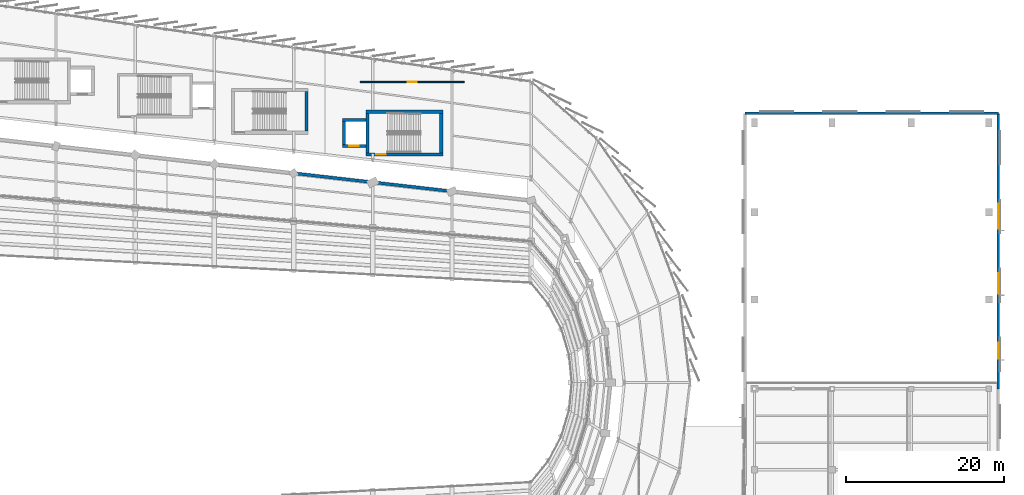
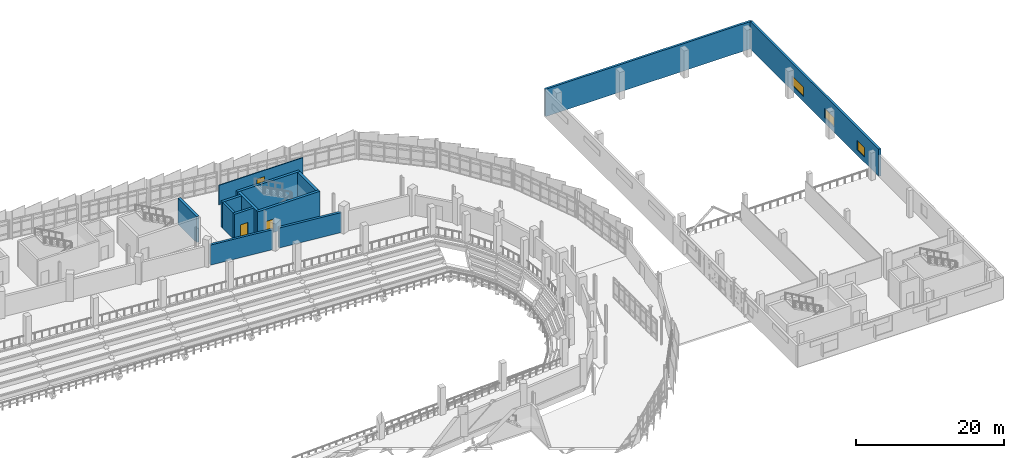
# One storey, part 116 of 134: 13 walls, 3 doors, 3 windows, 6 openings.
"""IFC4 building model written with IfcOpenShell, lengths in metres."""

from ifc_helpers import new_model, si_unit, direction, frame, frame_2d, origin, place, context, subcontext, project, spatial, rectangle, extrude, material, layer, layer_set, type_object, element, fill, save


model = new_model("IFC4")

# Units and contexts
model_context = context("Model", 3, precision=1e-05, world=origin(), true_north=direction((0.0, 1.0)))
body_context = subcontext(model_context, "Body", "Model", "MODEL_VIEW")
ifc_project = project(units=[si_unit("LENGTHUNIT", "METRE"), si_unit("AREAUNIT", "SQUARE_METRE"), si_unit("VOLUMEUNIT", "CUBIC_METRE"), si_unit("PLANEANGLEUNIT", "RADIAN"), si_unit("MASSUNIT", "GRAM", prefix="KILO")], contexts=[model_context])

# Site, building, storey
site_placement = place(None, origin())
site = spatial("IfcSite", under=ifc_project, at=site_placement, CompositionType="ELEMENT")
building_placement = place(site_placement, origin())
building = spatial("IfcBuilding", under=site, at=building_placement, Name="Sohan Crest Arena", CompositionType="ELEMENT")
storey_placement = place(building_placement, frame((0.0, 0.0, 4.5)))
storey = spatial("IfcBuildingStorey", under=building, at=storey_placement, Name="L01", CompositionType="ELEMENT", Elevation=4.5)

# Wall, openings, windows
ifc_material_1 = material(Name="Honed dark basalt stone cladding wall", Category="masonry")
ifc_layer_1 = layer(ifc_material_1, 0.340087890625, Name="Honed dark basalt stone cladding wall")
ifc_layer_set_1 = layer_set([ifc_layer_1], Name="Honed dark basalt stone cladding wall")
wall_type_1 = type_object("IfcWallType", Name="WAL-EW04", PredefinedType="SOLIDWALL", material=ifc_layer_set_1)
wall_1_placement = place(storey_placement, frame((227.0, 77.199951171875, 0.0), z_axis=(0.0, 0.0, 1.0), x_axis=(0.0, 1.0, 0.0)))
wall_1 = element("IfcWall", 1, at=wall_1_placement, inside=storey, type_object=wall_type_1, Name="External wall EW-110", PredefinedType="SOLIDWALL", context=body_context, shape_type="SweptSolid", body=[
    extrude(rectangle(XDim=34.800048828125, YDim=0.340087890625, at=frame_2d((17.39990234375, 0.0))), origin(), (0.0, 0.0, 1.0), 4.5),
])
opening_1_placement = place(wall_1_placement, frame((3.800048828125, 0.0, 0.85009765625)))
opening_1 = element("IfcOpeningElement", 2, at=opening_1_placement, cuts=wall_1, Name="Opening W-009", PredefinedType="OPENING", context=body_context, shape_type="SweptSolid", body=[
    extrude(rectangle(XDim=2.0, YDim=1.60009765625, at=frame_2d((1.0, 0.800048828125))), frame((0.0, 0.179931640625, 0.0), z_axis=(0.0, -1.0, 0.0), x_axis=(1.0, 0.0, 0.0)), (0.0, 0.0, 1.0), 0.360107421875),
])
opening_2_placement = place(wall_1_placement, frame((12.0, 0.0, 0.85009765625)))
opening_2 = element("IfcOpeningElement", 3, at=opening_2_placement, cuts=wall_1, Name="Opening W-010", PredefinedType="OPENING", context=body_context, shape_type="SweptSolid", body=[
    extrude(rectangle(XDim=2.60009765625, YDim=1.5, at=frame_2d((1.300048828125, 0.75))), frame((0.0, 0.179931640625, 0.0), z_axis=(0.0, -1.0, 0.0), x_axis=(1.0, 0.0, 0.0)), (0.0, 0.0, 1.0), 0.360107421875),
])
opening_3_placement = place(wall_1_placement, frame((20.199951171875, 0.0, 0.85009765625)))
opening_3 = element("IfcOpeningElement", 4, at=opening_3_placement, cuts=wall_1, Name="Opening W-011", PredefinedType="OPENING", context=body_context, shape_type="SweptSolid", body=[
    extrude(rectangle(XDim=3.199951171875, YDim=1.60009765625, at=frame_2d((1.60009765625, 0.800048828125))), frame((0.0, 0.179931640625, 0.0), z_axis=(0.0, -1.0, 0.0), x_axis=(1.0, 0.0, 0.0)), (0.0, 0.0, 1.0), 0.360107421875),
])
ifc_material_2 = material(Name="Low-E double-glazed insulated glass", Category="glass")
window_type_1 = type_object("IfcWindowType", Name="WIN-W09", PartitioningType="SINGLE_PANEL", PredefinedType="WINDOW", material=ifc_material_2)
window_1_placement = place(opening_1_placement, origin())
window_1 = element("IfcWindow", 5, at=window_1_placement, inside=storey, type_object=window_type_1, Name="Community wing window W-009", OverallHeight=1.60009765625, OverallWidth=2.0, PartitioningType="SINGLE_PANEL", PredefinedType="WINDOW", context=body_context, shape_type="SweptSolid", body=[
    extrude(rectangle(XDim=2.0, YDim=1.60009765625, at=frame_2d((1.0, 0.800048828125))), frame((0.0, 0.030029296875, 0.0), z_axis=(0.0, -1.0, 0.0), x_axis=(1.0, 0.0, 0.0)), (0.0, 0.0, 1.0), 0.06005859375),
])
fill(opening_1, window_1)
window_type_2 = type_object("IfcWindowType", Name="WIN-W10", PartitioningType="SINGLE_PANEL", PredefinedType="WINDOW", material=ifc_material_2)
window_2_placement = place(opening_2_placement, origin())
window_2 = element("IfcWindow", 6, at=window_2_placement, inside=storey, type_object=window_type_2, Name="Community wing window W-010", OverallHeight=1.5, OverallWidth=2.60009765625, PartitioningType="SINGLE_PANEL", PredefinedType="WINDOW", context=body_context, shape_type="SweptSolid", body=[
    extrude(rectangle(XDim=2.60009765625, YDim=1.5, at=frame_2d((1.300048828125, 0.75))), frame((0.0, 0.030029296875, 0.0), z_axis=(0.0, -1.0, 0.0), x_axis=(1.0, 0.0, 0.0)), (0.0, 0.0, 1.0), 0.06005859375),
])
fill(opening_2, window_2)
window_type_3 = type_object("IfcWindowType", Name="WIN-W11", PartitioningType="SINGLE_PANEL", PredefinedType="WINDOW", material=ifc_material_2)
window_3_placement = place(opening_3_placement, origin())
window_3 = element("IfcWindow", 7, at=window_3_placement, inside=storey, type_object=window_type_3, Name="Community wing window W-011", OverallHeight=1.60009765625, OverallWidth=3.199951171875, PartitioningType="SINGLE_PANEL", PredefinedType="WINDOW", context=body_context, shape_type="SweptSolid", body=[
    extrude(rectangle(XDim=3.199951171875, YDim=1.60009765625, at=frame_2d((1.60009765625, 0.800048828125))), frame((0.0, 0.030029296875, 0.0), z_axis=(0.0, -1.0, 0.0), x_axis=(1.0, 0.0, 0.0)), (0.0, 0.0, 1.0), 0.06005859375),
])
fill(opening_3, window_3)

# Walls
wall_2_placement = place(storey_placement, frame((227.0, 112.0, 0.0), z_axis=(0.0, 0.0, 1.0), x_axis=(-1.0, 0.0, 0.0)))
element("IfcWall", 8, at=wall_2_placement, inside=storey, type_object=wall_type_1, Name="External wall EW-111", PredefinedType="SOLIDWALL", context=body_context, shape_type="SweptSolid", body=[
    extrude(rectangle(XDim=32.0, YDim=0.340087890625, at=frame_2d((16.0, 0.0))), origin(), (0.0, 0.0, 1.0), 4.5),
])
ifc_material_3 = material(Name="Acoustic insulated bowl drum enclosure wall", Category="masonry")
ifc_layer_2 = layer(ifc_material_3, 0.3701171875, Name="Acoustic insulated bowl drum enclosure wall")
ifc_layer_set_2 = layer_set([ifc_layer_2], Name="Acoustic insulated bowl drum enclosure wall")
wall_type_2 = type_object("IfcWallType", Name="WAL-EW05", PredefinedType="SOLIDWALL", material=ifc_layer_set_2)
for number, where, z_axis, x_axis, name in (
    (9, (157.56298828125, 102.193115234375, 0.0), (0.0, 0.0, 1.0), (-0.993532672656, 0.113546591161, 0.0), "Acoustic bowl drum wall BW-L01-29"),
    (10, (147.56298828125, 103.3359375, 0.0), (0.0, 0.0, 1.0), (-0.993532672656, 0.113546591161, 0.0), "Acoustic bowl drum wall BW-L01-30"),
):
    element("IfcWall", number, at=place(storey_placement, frame(where, z_axis=z_axis, x_axis=x_axis)), inside=storey, type_object=wall_type_2, Name=name, PredefinedType="SOLIDWALL", context=body_context, shape_type="SweptSolid", body=[
        extrude(rectangle(XDim=9.185302734375, YDim=0.3701171875, at=frame_2d((4.5927734375, 0.0))), origin(), (0.0, 0.0, 1.0), 3.300048828125),
    ])

# Wall, opening, door
ifc_material_4 = material(Name="Suite acoustic stud partition", Category="masonry")
ifc_layer_3 = layer(ifc_material_4, 0.135009765625, Name="Suite acoustic stud partition")
ifc_layer_set_3 = layer_set([ifc_layer_3], Name="Suite acoustic stud partition")
wall_type_3 = type_object("IfcWallType", Name="WAL-PW02", PredefinedType="PARTITIONING", material=ifc_layer_set_3)
wall_3_placement = place(storey_placement, frame((146.449951171875, 115.949951171875, 0.0), z_axis=(0.0, 0.0, 1.0), x_axis=(1.0, 0.0, 0.0)))
wall_3 = element("IfcWall", 11, at=wall_3_placement, inside=storey, type_object=wall_type_3, Name="Interior partition wall PW-0879", PredefinedType="PARTITIONING", context=body_context, shape_type="SweptSolid", body=[
    extrude(rectangle(XDim=13.10009765625, YDim=0.135009765625, at=frame_2d((6.550048828125, 0.0))), origin(), (0.0, 0.0, 1.0), 3.219970703125),
])
opening_4_placement = place(wall_3_placement, frame((5.97998046875, 0.0, 0.0)))
opening_4 = element("IfcOpeningElement", 12, at=opening_4_placement, cuts=wall_3, Name="Opening RM-0253", PredefinedType="OPENING", context=body_context, shape_type="SweptSolid", body=[
    extrude(rectangle(XDim=1.139892578125, YDim=2.179931640625, at=frame_2d((0.56982421875, 1.08984375))), frame((0.0, 0.077392578125, 0.0), z_axis=(0.0, -1.0, 0.0), x_axis=(1.0, 0.0, 0.0)), (0.0, 0.0, 1.0), 0.155029296875),
])
ifc_material_5 = material(Name="Solid oak acoustic room door", Category="wood")
door_type_1 = type_object("IfcDoorType", Name="DR-ID11", OperationType="NOTDEFINED", PredefinedType="DOOR", material=ifc_material_5)
door_1_placement = place(opening_4_placement, origin())
door_1 = element("IfcDoor", 13, at=door_1_placement, inside=storey, type_object=door_type_1, Name="Spectator Concessions Kitchen door RM-0253", OperationType="SINGLE_SWING_LEFT", OverallHeight=2.179931640625, OverallWidth=1.139892578125, PredefinedType="DOOR", context=body_context, shape_type="SweptSolid", body=[
    extrude(rectangle(XDim=1.139892578125, YDim=2.179931640625, at=frame_2d((0.56982421875, 1.08984375))), frame((0.0, 0.02490234375, 0.0), z_axis=(0.0, -1.0, 0.0), x_axis=(1.0, 0.0, 0.0)), (0.0, 0.0, 1.0), 0.050048828125),
])
fill(opening_4, door_1)

# Walls
ifc_material_6 = material(Name="Concrete C40/50", Category="concrete")
ifc_layer_4 = layer(ifc_material_6, 0.39990234375, Name="Concrete C40/50")
ifc_layer_set_4 = layer_set([ifc_layer_4], Name="Concrete C40/50")
wall_type_4 = type_object("IfcWallType", Name="WAL-SW03", PredefinedType="SHEAR", material=ifc_layer_set_4)
for number, where, z_axis, x_axis, name in (
    (14, (147.35009765625, 107.0, 0.0), (0.0, 0.0, 1.0), (0.0, 1.0, 0.0), "Core shear wall SW-0459"),
    (15, (156.64990234375, 107.0, 0.0), (0.0, 0.0, 1.0), (0.0, 1.0, 0.0), "Core shear wall SW-0460"),
):
    element("IfcWall", number, at=place(storey_placement, frame(where, z_axis=z_axis, x_axis=x_axis)), inside=storey, type_object=wall_type_4, Name=name, PredefinedType="SHEAR", context=body_context, shape_type="SweptSolid", body=[
        extrude(rectangle(XDim=5.0, YDim=0.39990234375, at=frame_2d((2.5, 0.0))), origin(), (0.0, 0.0, 1.0), 4.25),
    ])

# Wall, opening, door
wall_4_placement = place(storey_placement, frame((147.14990234375, 106.800048828125, 0.0), z_axis=(0.0, 0.0, 1.0), x_axis=(1.0, 0.0, 0.0)))
wall_4 = element("IfcWall", 16, at=wall_4_placement, inside=storey, type_object=wall_type_4, Name="Core shear wall SW-0461", PredefinedType="SHEAR", context=body_context, shape_type="SweptSolid", body=[
    extrude(rectangle(XDim=9.7001953125, YDim=0.39990234375, at=frame_2d((4.85009765625, 0.0))), origin(), (0.0, 0.0, 1.0), 4.25),
])
opening_5_placement = place(wall_4_placement, frame((1.320068359375, 0.0, 0.0)))
opening_5 = element("IfcOpeningElement", 17, at=opening_5_placement, cuts=wall_4, Name="Opening SD-0127", PredefinedType="OPENING", context=body_context, shape_type="SweptSolid", body=[
    extrude(rectangle(XDim=1.199951171875, YDim=2.199951171875, at=frame_2d((0.60009765625, 1.10009765625))), frame((0.0, 0.2099609375, 0.0), z_axis=(0.0, -1.0, 0.0), x_axis=(1.0, 0.0, 0.0)), (0.0, 0.0, 1.0), 0.419921875),
])
ifc_material_7 = material(Name="Fire-rated steel stair and lobby door", Category="steel")
door_type_2 = type_object("IfcDoorType", Name="DR-FD04", OperationType="NOTDEFINED", PredefinedType="DOOR", material=ifc_material_7)
door_2_placement = place(opening_5_placement, frame((1.199951171875, 0.0, 0.0), z_axis=(0.0, 0.0, 1.0), x_axis=(-1.0, 0.0, 0.0)))
door_2 = element("IfcDoor", 18, at=door_2_placement, inside=storey, type_object=door_type_2, Name="Protected stair door SD-0127", OperationType="SINGLE_SWING_LEFT", OverallHeight=2.199951171875, OverallWidth=1.199951171875, PredefinedType="DOOR", context=body_context, shape_type="SweptSolid", body=[
    extrude(rectangle(XDim=1.199951171875, YDim=2.199951171875, at=frame_2d((0.60009765625, 1.10009765625))), frame((0.0, 0.02490234375, 0.0), z_axis=(0.0, -1.0, 0.0), x_axis=(1.0, 0.0, 0.0)), (0.0, 0.0, 1.0), 0.050048828125),
])
fill(opening_5, door_2)

# Walls
wall_5_placement = place(storey_placement, frame((147.14990234375, 112.199951171875, 0.0), z_axis=(0.0, 0.0, 1.0), x_axis=(1.0, 0.0, 0.0)))
element("IfcWall", 19, at=wall_5_placement, inside=storey, type_object=wall_type_4, Name="Core shear wall SW-0462", PredefinedType="SHEAR", context=body_context, shape_type="SweptSolid", body=[
    extrude(rectangle(XDim=9.7001953125, YDim=0.39990234375, at=frame_2d((4.85009765625, 0.0))), origin(), (0.0, 0.0, 1.0), 4.25),
])
wall_6_placement = place(storey_placement, frame((144.35009765625, 108.050048828125, 0.0), z_axis=(0.0, 0.0, 1.0), x_axis=(0.0, 1.0, 0.0)))
element("IfcWall", 20, at=wall_6_placement, inside=storey, type_object=wall_type_4, Name="Core shear wall SW-0463", PredefinedType="SHEAR", context=body_context, shape_type="SweptSolid", body=[
    extrude(rectangle(XDim=2.89990234375, YDim=0.39990234375, at=frame_2d((1.449951171875, 0.0))), origin(), (0.0, 0.0, 1.0), 4.25),
])

# Wall, opening, door
wall_7_placement = place(storey_placement, frame((144.14990234375, 107.85009765625, 0.0), z_axis=(0.0, 0.0, 1.0), x_axis=(1.0, 0.0, 0.0)))
wall_7 = element("IfcWall", 21, at=wall_7_placement, inside=storey, type_object=wall_type_4, Name="Core shear wall SW-0464", PredefinedType="SHEAR", context=body_context, shape_type="SweptSolid", body=[
    extrude(rectangle(XDim=3.0, YDim=0.39990234375, at=frame_2d((1.5, 0.0))), origin(), (0.0, 0.0, 1.0), 4.25),
])
opening_6_placement = place(wall_7_placement, frame((0.89990234375, 0.0, 0.0)))
opening_6 = element("IfcOpeningElement", 22, at=opening_6_placement, cuts=wall_7, Name="Opening LD-LP08-L01", PredefinedType="OPENING", context=body_context, shape_type="SweptSolid", body=[
    extrude(rectangle(XDim=1.199951171875, YDim=2.199951171875, at=frame_2d((0.60009765625, 1.10009765625))), frame((0.0, 0.2099609375, 0.0), z_axis=(0.0, -1.0, 0.0), x_axis=(1.0, 0.0, 0.0)), (0.0, 0.0, 1.0), 0.419921875),
])
ifc_material_8 = material(Name="Stainless steel passenger lift landing door", Category="steel")
door_type_3 = type_object("IfcDoorType", Name="DR-LD02", OperationType="SLIDING_TO_LEFT", PredefinedType="DOOR", material=ifc_material_8)
door_3_placement = place(opening_6_placement, origin())
door_3 = element("IfcDoor", 23, at=door_3_placement, inside=storey, type_object=door_type_3, Name="Sliding lift landing door LD-LP08-L01", OperationType="SLIDING_TO_LEFT", OverallHeight=2.199951171875, OverallWidth=1.199951171875, PredefinedType="DOOR", context=body_context, shape_type="SweptSolid", body=[
    extrude(rectangle(XDim=1.199951171875, YDim=2.199951171875, at=frame_2d((0.60009765625, 1.10009765625))), frame((0.0, 0.02490234375, 0.0), z_axis=(0.0, -1.0, 0.0), x_axis=(1.0, 0.0, 0.0)), (0.0, 0.0, 1.0), 0.050048828125),
])
fill(opening_6, door_3)

# Walls
wall_8_placement = place(storey_placement, frame((144.14990234375, 111.14990234375, 0.0), z_axis=(0.0, 0.0, 1.0), x_axis=(1.0, 0.0, 0.0)))
element("IfcWall", 24, at=wall_8_placement, inside=storey, type_object=wall_type_4, Name="Core shear wall SW-0465", PredefinedType="SHEAR", context=body_context, shape_type="SweptSolid", body=[
    extrude(rectangle(XDim=3.0, YDim=0.39990234375, at=frame_2d((1.5, 0.0))), origin(), (0.0, 0.0, 1.0), 4.25),
])
wall_9_placement = place(storey_placement, frame((139.64990234375, 109.75, 0.0), z_axis=(0.0, 0.0, 1.0), x_axis=(0.0, 1.0, 0.0)))
element("IfcWall", 25, at=wall_9_placement, inside=storey, type_object=wall_type_4, Name="Core shear wall SW-0814", PredefinedType="SHEAR", context=body_context, shape_type="SweptSolid", body=[
    extrude(rectangle(XDim=5.0, YDim=0.39990234375, at=frame_2d((2.5, 0.0))), origin(), (0.0, 0.0, 1.0), 4.25),
])

save(model, "model.ifc")
